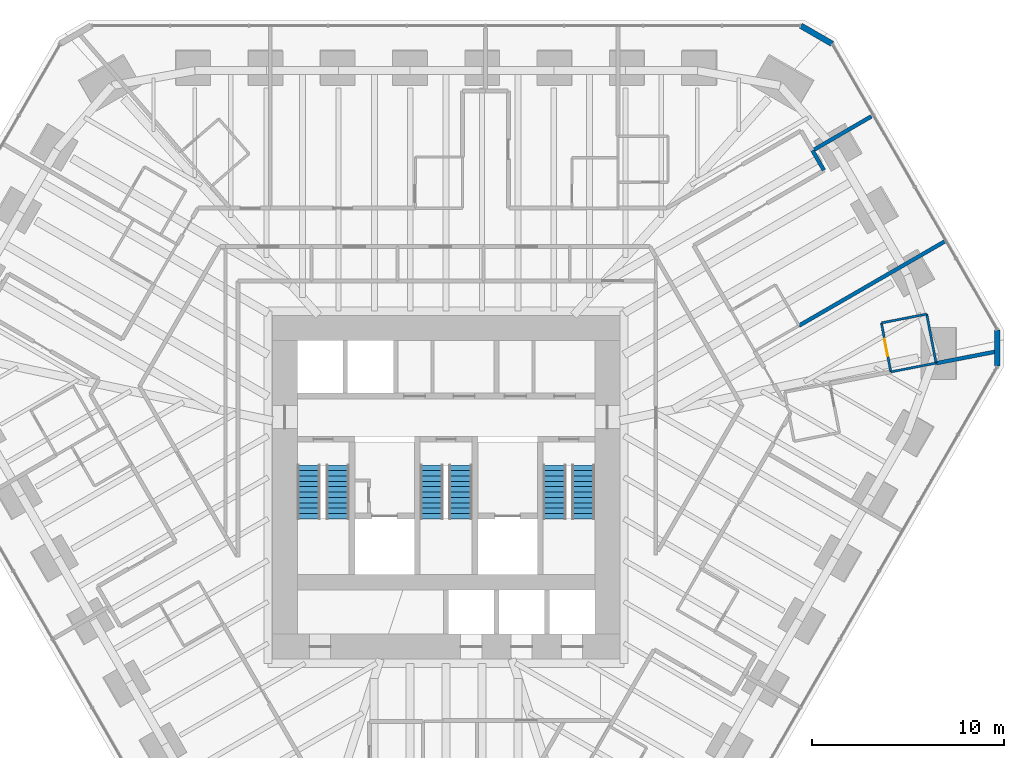
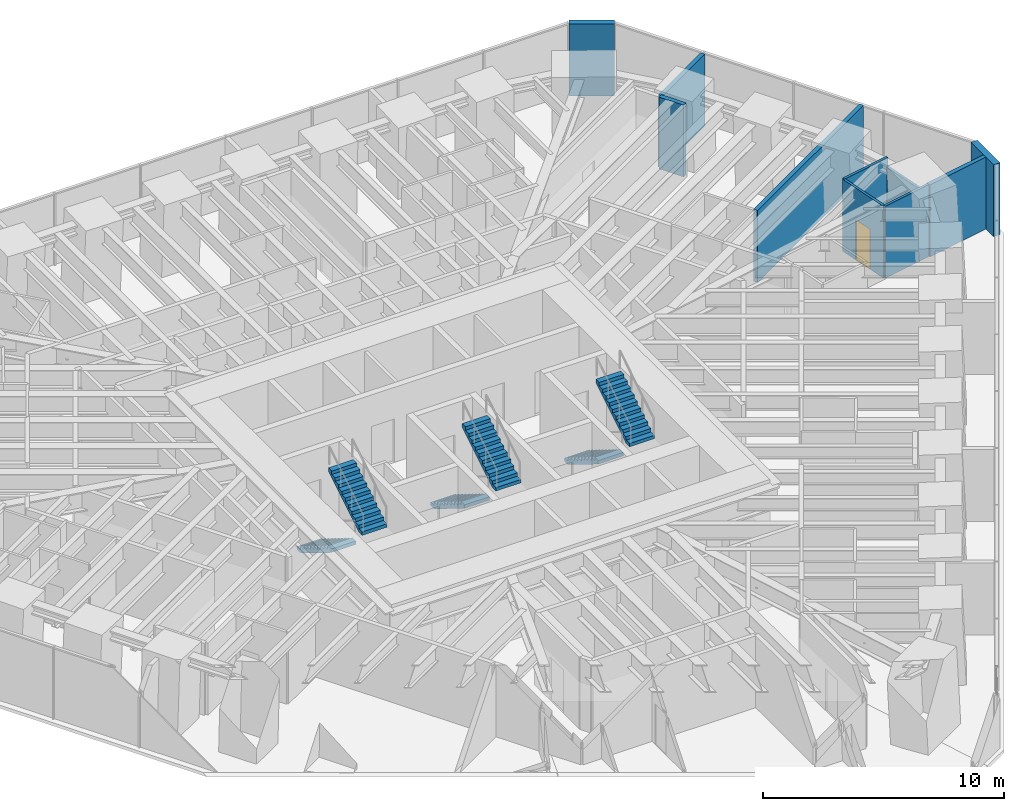
# One storey, part 16 of 17: 10 walls, 6 stair flights, 1 door, 1 opening, 3 elements without a shape of their own.
"""IFC4 building model written with IfcOpenShell, lengths in metres."""

from ifc_helpers import new_model, si_unit, direction, frame, frame_2d, origin, place, context, subcontext, project, spatial, polyline, rectangle, outline, extrude, material, layer, layer_set, type_object, element, fill, aggregate, save


model = new_model("IFC4")

# Units and contexts
model_context = context("Model", 3, precision=1e-05, world=origin(), true_north=direction((0.0, 1.0)))
body_context = subcontext(model_context, "Body", "Model", "MODEL_VIEW")
ifc_project = project(units=[si_unit("LENGTHUNIT", "METRE"), si_unit("AREAUNIT", "SQUARE_METRE"), si_unit("VOLUMEUNIT", "CUBIC_METRE"), si_unit("PLANEANGLEUNIT", "RADIAN"), si_unit("MASSUNIT", "GRAM", prefix="KILO")], contexts=[model_context])

# Site, building, storey
site_placement = place(None, origin())
site = spatial("IfcSite", under=ifc_project, at=site_placement, CompositionType="ELEMENT")
building_placement = place(site_placement, origin())
building = spatial("IfcBuilding", under=site, at=building_placement, Name="Sandreach Pilgrim Tower", CompositionType="ELEMENT")
storey_placement = place(building_placement, frame((0.0, 0.0, 169.0)))
storey = spatial("IfcBuildingStorey", under=building, at=storey_placement, Name="L42", CompositionType="ELEMENT", Elevation=169.0)

# Wall, opening, door
ifc_material_1 = material(Name="Moisture-resistant gypsum board on steel studs", Category="steel")
ifc_layer_1 = layer(ifc_material_1, 0.1201171875)
ifc_layer_set_1 = layer_set([ifc_layer_1], Name="Bathroom partition 120")
wall_type_1 = type_object("IfcWallType", Name="Bathroom partition 120", PredefinedType="PARTITIONING", material=ifc_layer_set_1)
wall_1_placement = place(storey_placement, frame((22.679931640625, 7.010009765625, 0.0), z_axis=(0.0, 0.0, 1.0), x_axis=(0.188697442844, -0.982035271802, 0.0)))
wall_1 = element("IfcWall", 1, at=wall_1_placement, inside=storey, type_object=wall_type_1, Name="Bathroom partition L42-176", PredefinedType="PARTITIONING", context=body_context, shape_type="SweptSolid", body=[
    extrude(rectangle(XDim=2.5966796875, YDim=0.1201171875, at=frame_2d((1.29833984375, 0.0))), origin(), (0.0, 0.0, 1.0), 3.639892578125),
])
opening_placement = place(wall_1_placement, frame((0.85009765625, 0.0, 0.0)))
opening = element("IfcOpeningElement", 2, at=opening_placement, cuts=wall_1, Name="Opening D09-06B", PredefinedType="OPENING", context=body_context, shape_type="SweptSolid", body=[
    extrude(rectangle(XDim=0.89990234375, YDim=2.030029296875, at=frame_2d((0.449951171875, 1.01513671875))), frame((0.0, 0.06005859375, 0.0), z_axis=(0.0, -1.0, 0.0), x_axis=(1.0, 0.0, 0.0)), (0.0, 0.0, 1.0), 0.1201171875),
])
ifc_material_2 = material(Name="Timber door, steel frame", Category="steel")
door_type = type_object("IfcDoorType", Name="Bathroom door", OperationType="SINGLE_SWING_LEFT", PredefinedType="DOOR", material=ifc_material_2)
door_placement = place(opening_placement, origin())
door = element("IfcDoor", 3, at=door_placement, inside=storey, type_object=door_type, Name="Door 4206B", OperationType="SINGLE_SWING_LEFT", OverallHeight=2.030029296875, OverallWidth=0.89990234375, PredefinedType="DOOR", context=body_context, shape_type="SweptSolid", body=[
    extrude(rectangle(XDim=0.89990234375, YDim=2.030029296875, at=frame_2d((0.449951171875, 1.01513671875))), frame((0.0, 0.02490234375, 0.0), z_axis=(0.0, -1.0, 0.0), x_axis=(1.0, 0.0, 0.0)), (0.0, 0.0, 1.0), 0.050048828125),
])
fill(opening, door)

# Walls
for number, where, z_axis, x_axis, name in (
    (4, (23.169921875, 4.4599609375, 0.0), (0.0, 0.0, 1.0), (0.981533392326, 0.191290877329, 0.0), "Bathroom partition L42-177"),
    (5, (25.0400390625, 7.469970703125, 0.0), (0.0, 0.0, 1.0), (-0.981533392326, -0.191290877329, 0.0), "Bathroom partition L42-179"),
):
    element("IfcWall", number, at=place(storey_placement, frame(where, z_axis=z_axis, x_axis=x_axis)), inside=storey, type_object=wall_type_1, Name=name, PredefinedType="PARTITIONING", context=body_context, shape_type="SweptSolid", body=[
        extrude(rectangle(XDim=2.404541015625, YDim=0.1201171875, at=frame_2d((1.2021484375, 0.0))), origin(), (0.0, 0.0, 1.0), 3.639892578125),
    ])
wall_2_placement = place(storey_placement, frame((25.530029296875, 4.919921875, 0.0), z_axis=(0.0, 0.0, 1.0), x_axis=(-0.188697442844, 0.982035271802, 0.0)))
element("IfcWall", 6, at=wall_2_placement, inside=storey, type_object=wall_type_1, Name="Bathroom partition L42-180", PredefinedType="PARTITIONING", context=body_context, shape_type="SweptSolid", body=[
    extrude(rectangle(XDim=2.5966796875, YDim=0.1201171875, at=frame_2d((1.29833984375, 0.0))), origin(), (0.0, 0.0, 1.0), 3.157470703125),
])
ifc_material_3 = material(Name="Gypsum board on steel studs, two layers each side", Category="steel")
ifc_layer_2 = layer(ifc_material_3, 0.199951171875)
ifc_layer_set_2 = layer_set([ifc_layer_2], Name="Corridor wall 200")
wall_type_2 = type_object("IfcWallType", Name="Corridor wall 200", PredefinedType="PARTITIONING", material=ifc_layer_set_2)
wall_3_placement = place(storey_placement, frame((19.090087890625, 15.989990234375, 0.0), z_axis=(0.0, 0.0, 1.0), x_axis=(0.503226023923, -0.86415482921, 0.0)))
element("IfcWall", 7, at=wall_3_placement, inside=storey, type_object=wall_type_2, Name="Corridor wall L42-172", PredefinedType="PARTITIONING", context=body_context, shape_type="SweptSolid", body=[
    extrude(rectangle(XDim=1.177001953125, YDim=0.199951171875, at=frame_2d((0.58837890625, 0.0))), origin(), (0.0, 0.0, 1.0), 3.639892578125),
])
ifc_material_4 = material(Name="Double steel stud acoustic wall, gypsum board", Category="steel")
ifc_layer_3 = layer(ifc_material_4, 0.199951171875)
ifc_layer_set_3 = layer_set([ifc_layer_3], Name="Party wall 200")
wall_type_3 = type_object("IfcWallType", Name="Party wall 200", PredefinedType="PARTITIONING", material=ifc_layer_set_3)
wall_4_placement = place(storey_placement, frame((18.389892578125, 6.8701171875, 0.0), z_axis=(0.0, 0.0, 1.0), x_axis=(0.865875215531, 0.500260043506, 0.0)))
element("IfcWall", 8, at=wall_4_placement, inside=storey, type_object=wall_type_3, Name="Party wall L42-169", PredefinedType="PARTITIONING", context=body_context, shape_type="SweptSolid", body=[
    extrude(rectangle(XDim=8.804931640625, YDim=0.199951171875, at=frame_2d((4.40234375, 0.0))), origin(), (0.0, 0.0, 1.0), 3.639892578125),
])
wall_5_placement = place(storey_placement, frame((22.15625, 17.769775390625, 0.0), z_axis=(0.0, 0.0, 1.0), x_axis=(-0.864865465665, -0.50200371144, 0.0)))
element("IfcWall", 9, at=wall_5_placement, inside=storey, type_object=wall_type_3, Name="Party wall L42-175", PredefinedType="PARTITIONING", context=body_context, shape_type="SweptSolid", body=[
    extrude(rectangle(XDim=3.5302734375, YDim=0.199951171875, at=frame_2d((1.76513671875, 0.0))), origin(), (0.0, 0.0, 1.0), 3.639892578125),
])
wall_6_placement = place(storey_placement, frame((28.740478515625, 5.5341796875, 0.0), z_axis=(0.0, 0.0, 1.0), x_axis=(-0.98161461266, -0.190873655101, 0.0)))
element("IfcWall", 10, at=wall_6_placement, inside=storey, type_object=wall_type_3, Name="Party wall L42-181", PredefinedType="PARTITIONING", context=body_context, shape_type="SweptSolid", body=[
    extrude(rectangle(XDim=3.2705078125, YDim=0.199951171875, at=frame_2d((1.63525390625, 0.0))), origin(), (0.0, 0.0, 1.0), 3.639892578125),
])
ifc_material_5 = material(Name="Terracotta rainscreen on concrete", Category="masonry")
ifc_layer_4 = layer(ifc_material_5, 0.300048828125)
ifc_layer_set_4 = layer_set([ifc_layer_4], Name="Terracotta chamfer pier")
wall_type_4 = type_object("IfcWallType", Name="Terracotta chamfer pier", PredefinedType="SOLIDWALL", material=ifc_layer_set_4)
wall_7_placement = place(storey_placement, frame((18.4814453125, 22.493896484375, 0.0), z_axis=(0.0, 0.0, 1.0), x_axis=(0.865988793993, -0.500063404658, 0.0)))
element("IfcWall", 11, at=wall_7_placement, inside=storey, type_object=wall_type_4, Name="Chamfer pier L42 N", PredefinedType="SOLIDWALL", context=body_context, shape_type="SweptSolid", body=[
    extrude(rectangle(XDim=1.880126953125, YDim=0.300048828125, at=frame_2d((0.93994140625, 0.0))), origin(), (0.0, 0.0, 1.0), 3.639892578125),
])
wall_8_placement = place(storey_placement, frame((28.720947265625, 6.638427734375, 0.0), z_axis=(0.0, 0.0, 1.0), x_axis=(0.0, -1.0, 0.0)))
element("IfcWall", 12, at=wall_8_placement, inside=storey, type_object=wall_type_4, Name="Chamfer pier L42 NE", PredefinedType="SOLIDWALL", context=body_context, shape_type="SweptSolid", body=[
    extrude(rectangle(XDim=1.8798828125, YDim=0.300048828125, at=frame_2d((0.93994140625, 0.0))), origin(), (0.0, 0.0, 1.0), 3.639892578125),
])

# Stair, stair flights
ifc_material_6 = material(Name="Concrete 8000 psi", Category="concrete")
stair_type = type_object("IfcStairType", Name="Core exit stair", PredefinedType="HALF_TURN_STAIR", material=ifc_material_6)
stair_1_placement = place(storey_placement, origin())
stair_1 = element("IfcStair", 13, at=stair_1_placement, inside=storey, type_object=stair_type, Name="Exit stair ST1 L42", PredefinedType="HALF_TURN_STAIR")
ifc_material_7 = material(Name="Concrete 8000 psi", Category="concrete")
stair_flight_type = type_object("IfcStairFlightType", Name="Core stair flight 1200", PredefinedType="STRAIGHT", material=ifc_material_7)
stair_flight_1_placement = place(storey_placement, frame((-7.14990234375, -0.39990234375, 0.0), z_axis=(0.0, 0.0, 1.0), x_axis=(0.0, -1.0, 0.0)))
stair_flight_1 = element("IfcStairFlight", 14, at=stair_flight_1_placement, type_object=stair_flight_type, Name="ST1 flight 1", NumberOfRisers=11, NumberOfTreads=10, PredefinedType="STRAIGHT", RiserHeight=0.172727273, TreadLength=0.28, context=body_context, shape_type="SweptSolid", body=[
    extrude(outline(polyline([(0.0, 0.0), (0.0, 0.172607421875), (0.280029296875, 0.172607421875), (0.280029296875, 0.345458984375), (0.56005859375, 0.345458984375), (0.56005859375, 0.51806640625), (0.840087890625, 0.51806640625), (0.840087890625, 0.69091796875), (1.1201171875, 0.69091796875), (1.1201171875, 0.863525390625), (1.39990234375, 0.863525390625), (1.39990234375, 1.036376953125), (1.679931640625, 1.036376953125), (1.679931640625, 1.208984375), (1.9599609375, 1.208984375), (1.9599609375, 1.3818359375), (2.239990234375, 1.3818359375), (2.239990234375, 1.554443359375), (2.52001953125, 1.554443359375), (2.52001953125, 1.727294921875), (2.800048828125, 1.727294921875), (2.800048828125, 1.89990234375), (2.800048828125, 1.551025390625), (0.285400390625, 0.0), (0.0, 0.0)])), frame((0.0, 0.60009765625, 0.0), z_axis=(0.0, -1.0, 0.0), x_axis=(1.0, 0.0, 0.0)), (0.0, 0.0, 1.0), 1.199951171875),
])
stair_flight_2_placement = place(storey_placement, frame((-5.64990234375, -3.199951171875, 1.89990234375), z_axis=(0.0, 0.0, 1.0), x_axis=(0.0, 1.0, 0.0)))
stair_flight_2 = element("IfcStairFlight", 15, at=stair_flight_2_placement, type_object=stair_flight_type, Name="ST1 flight 2", NumberOfRisers=11, NumberOfTreads=10, PredefinedType="STRAIGHT", RiserHeight=0.172727273, TreadLength=0.28, context=body_context, shape_type="SweptSolid", body=[
    extrude(outline(polyline([(0.0, 0.0), (0.0, 0.172607421875), (0.280029296875, 0.172607421875), (0.280029296875, 0.345458984375), (0.56005859375, 0.345458984375), (0.56005859375, 0.51806640625), (0.840087890625, 0.51806640625), (0.840087890625, 0.69091796875), (1.1201171875, 0.69091796875), (1.1201171875, 0.863525390625), (1.39990234375, 0.863525390625), (1.39990234375, 1.036376953125), (1.679931640625, 1.036376953125), (1.679931640625, 1.208984375), (1.9599609375, 1.208984375), (1.9599609375, 1.3818359375), (2.239990234375, 1.3818359375), (2.239990234375, 1.554443359375), (2.52001953125, 1.554443359375), (2.52001953125, 1.727294921875), (2.800048828125, 1.727294921875), (2.800048828125, 1.89990234375), (2.800048828125, 1.551025390625), (0.285400390625, 0.0), (0.0, 0.0)])), frame((0.0, 0.60009765625, 0.0), z_axis=(0.0, -1.0, 0.0), x_axis=(1.0, 0.0, 0.0)), (0.0, 0.0, 1.0), 1.199951171875),
])
aggregate(stair_1, [stair_flight_1, stair_flight_2])

stair_2_placement = place(storey_placement, origin())
stair_2 = element("IfcStair", 16, at=stair_2_placement, inside=storey, type_object=stair_type, Name="Exit stair ST3 L42", PredefinedType="HALF_TURN_STAIR")
stair_flight_3_placement = place(storey_placement, frame((-0.75, -0.39990234375, 0.0), z_axis=(0.0, 0.0, 1.0), x_axis=(0.0, -1.0, 0.0)))
stair_flight_3 = element("IfcStairFlight", 17, at=stair_flight_3_placement, type_object=stair_flight_type, Name="ST3 flight 1", NumberOfRisers=11, NumberOfTreads=10, PredefinedType="STRAIGHT", RiserHeight=0.172727273, TreadLength=0.28, context=body_context, shape_type="SweptSolid", body=[
    extrude(outline(polyline([(0.0, 0.0), (0.0, 0.172607421875), (0.280029296875, 0.172607421875), (0.280029296875, 0.345458984375), (0.56005859375, 0.345458984375), (0.56005859375, 0.51806640625), (0.840087890625, 0.51806640625), (0.840087890625, 0.69091796875), (1.1201171875, 0.69091796875), (1.1201171875, 0.863525390625), (1.39990234375, 0.863525390625), (1.39990234375, 1.036376953125), (1.679931640625, 1.036376953125), (1.679931640625, 1.208984375), (1.9599609375, 1.208984375), (1.9599609375, 1.3818359375), (2.239990234375, 1.3818359375), (2.239990234375, 1.554443359375), (2.52001953125, 1.554443359375), (2.52001953125, 1.727294921875), (2.800048828125, 1.727294921875), (2.800048828125, 1.89990234375), (2.800048828125, 1.551025390625), (0.285400390625, 0.0), (0.0, 0.0)])), frame((0.0, 0.60009765625, 0.0), z_axis=(0.0, -1.0, 0.0), x_axis=(1.0, 0.0, 0.0)), (0.0, 0.0, 1.0), 1.199951171875),
])
stair_flight_4_placement = place(storey_placement, frame((0.75, -3.199951171875, 1.89990234375), z_axis=(0.0, 0.0, 1.0), x_axis=(0.0, 1.0, 0.0)))
stair_flight_4 = element("IfcStairFlight", 18, at=stair_flight_4_placement, type_object=stair_flight_type, Name="ST3 flight 2", NumberOfRisers=11, NumberOfTreads=10, PredefinedType="STRAIGHT", RiserHeight=0.172727273, TreadLength=0.28, context=body_context, shape_type="SweptSolid", body=[
    extrude(outline(polyline([(0.0, 0.0), (0.0, 0.172607421875), (0.280029296875, 0.172607421875), (0.280029296875, 0.345458984375), (0.56005859375, 0.345458984375), (0.56005859375, 0.51806640625), (0.840087890625, 0.51806640625), (0.840087890625, 0.69091796875), (1.1201171875, 0.69091796875), (1.1201171875, 0.863525390625), (1.39990234375, 0.863525390625), (1.39990234375, 1.036376953125), (1.679931640625, 1.036376953125), (1.679931640625, 1.208984375), (1.9599609375, 1.208984375), (1.9599609375, 1.3818359375), (2.239990234375, 1.3818359375), (2.239990234375, 1.554443359375), (2.52001953125, 1.554443359375), (2.52001953125, 1.727294921875), (2.800048828125, 1.727294921875), (2.800048828125, 1.89990234375), (2.800048828125, 1.551025390625), (0.285400390625, 0.0), (0.0, 0.0)])), frame((0.0, 0.60009765625, 0.0), z_axis=(0.0, -1.0, 0.0), x_axis=(1.0, 0.0, 0.0)), (0.0, 0.0, 1.0), 1.199951171875),
])
aggregate(stair_2, [stair_flight_3, stair_flight_4])

stair_3_placement = place(storey_placement, origin())
stair_3 = element("IfcStair", 19, at=stair_3_placement, inside=storey, type_object=stair_type, Name="Exit stair ST2 L42", PredefinedType="HALF_TURN_STAIR")
stair_flight_5_placement = place(storey_placement, frame((5.64990234375, -0.39990234375, 0.0), z_axis=(0.0, 0.0, 1.0), x_axis=(0.0, -1.0, 0.0)))
stair_flight_5 = element("IfcStairFlight", 20, at=stair_flight_5_placement, type_object=stair_flight_type, Name="ST2 flight 1", NumberOfRisers=11, NumberOfTreads=10, PredefinedType="STRAIGHT", RiserHeight=0.172727273, TreadLength=0.28, context=body_context, shape_type="SweptSolid", body=[
    extrude(outline(polyline([(0.0, 0.0), (0.0, 0.172607421875), (0.280029296875, 0.172607421875), (0.280029296875, 0.345458984375), (0.56005859375, 0.345458984375), (0.56005859375, 0.51806640625), (0.840087890625, 0.51806640625), (0.840087890625, 0.69091796875), (1.1201171875, 0.69091796875), (1.1201171875, 0.863525390625), (1.39990234375, 0.863525390625), (1.39990234375, 1.036376953125), (1.679931640625, 1.036376953125), (1.679931640625, 1.208984375), (1.9599609375, 1.208984375), (1.9599609375, 1.3818359375), (2.239990234375, 1.3818359375), (2.239990234375, 1.554443359375), (2.52001953125, 1.554443359375), (2.52001953125, 1.727294921875), (2.800048828125, 1.727294921875), (2.800048828125, 1.89990234375), (2.800048828125, 1.551025390625), (0.285400390625, 0.0), (0.0, 0.0)])), frame((0.0, 0.60009765625, 0.0), z_axis=(0.0, -1.0, 0.0), x_axis=(1.0, 0.0, 0.0)), (0.0, 0.0, 1.0), 1.199951171875),
])
stair_flight_6_placement = place(storey_placement, frame((7.14990234375, -3.199951171875, 1.89990234375), z_axis=(0.0, 0.0, 1.0), x_axis=(0.0, 1.0, 0.0)))
stair_flight_6 = element("IfcStairFlight", 21, at=stair_flight_6_placement, type_object=stair_flight_type, Name="ST2 flight 2", NumberOfRisers=11, NumberOfTreads=10, PredefinedType="STRAIGHT", RiserHeight=0.172727273, TreadLength=0.28, context=body_context, shape_type="SweptSolid", body=[
    extrude(outline(polyline([(0.0, 0.0), (0.0, 0.172607421875), (0.280029296875, 0.172607421875), (0.280029296875, 0.345458984375), (0.56005859375, 0.345458984375), (0.56005859375, 0.51806640625), (0.840087890625, 0.51806640625), (0.840087890625, 0.69091796875), (1.1201171875, 0.69091796875), (1.1201171875, 0.863525390625), (1.39990234375, 0.863525390625), (1.39990234375, 1.036376953125), (1.679931640625, 1.036376953125), (1.679931640625, 1.208984375), (1.9599609375, 1.208984375), (1.9599609375, 1.3818359375), (2.239990234375, 1.3818359375), (2.239990234375, 1.554443359375), (2.52001953125, 1.554443359375), (2.52001953125, 1.727294921875), (2.800048828125, 1.727294921875), (2.800048828125, 1.89990234375), (2.800048828125, 1.551025390625), (0.285400390625, 0.0), (0.0, 0.0)])), frame((0.0, 0.60009765625, 0.0), z_axis=(0.0, -1.0, 0.0), x_axis=(1.0, 0.0, 0.0)), (0.0, 0.0, 1.0), 1.199951171875),
])
aggregate(stair_3, [stair_flight_5, stair_flight_6])

save(model, "model.ifc")
